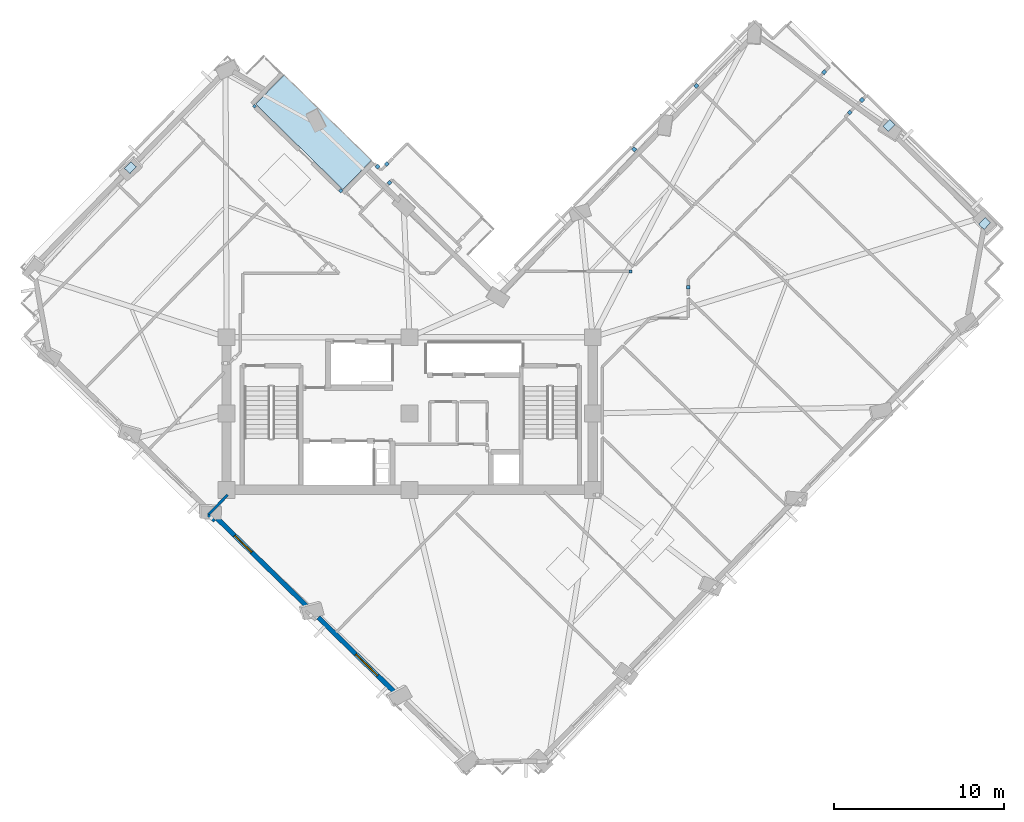
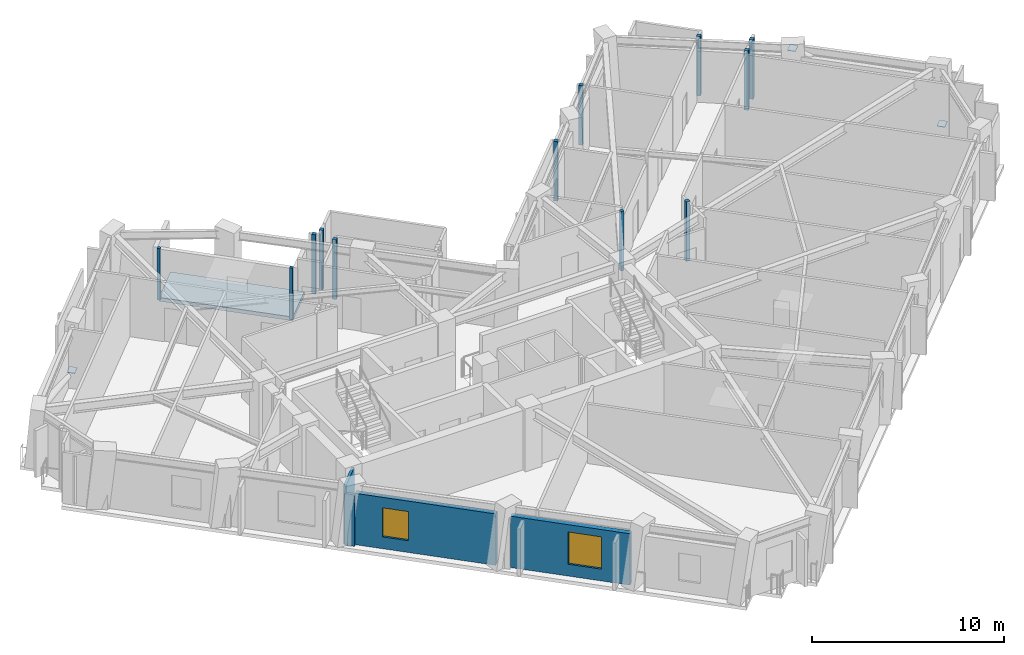
# One storey, part 3 of 12: 15 plates, 4 walls, 2 windows, 1 slab, 2 openings.
"""IFC4 building model written with IfcOpenShell, lengths in metres."""

from ifc_helpers import new_model, si_unit, direction, frame, frame_2d, origin, origin_2d, place, context, subcontext, project, spatial, polyline, rectangle, outline, extrude, material, layer, layer_set, type_object, element, fill, save


model = new_model("IFC4")

# Units and contexts
model_context = context("Model", 3, precision=1e-05, world=origin(), true_north=direction((0.0, 1.0)))
body_context = subcontext(model_context, "Body", "Model", "MODEL_VIEW")
ifc_project = project(units=[si_unit("LENGTHUNIT", "METRE"), si_unit("AREAUNIT", "SQUARE_METRE"), si_unit("VOLUMEUNIT", "CUBIC_METRE"), si_unit("PLANEANGLEUNIT", "RADIAN"), si_unit("MASSUNIT", "GRAM", prefix="KILO")], contexts=[model_context])

# Site, building, storey
site_placement = place(None, origin())
site = spatial("IfcSite", under=ifc_project, at=site_placement, CompositionType="ELEMENT")
building_placement = place(site_placement, origin())
building = spatial("IfcBuilding", under=site, at=building_placement, Name="Gaonmaruhae Medical Tower", CompositionType="ELEMENT")
storey_placement = place(building_placement, frame((0.0, 0.0, 219.199951171875)))
storey = spatial("IfcBuildingStorey", under=building, at=storey_placement, Name="L52", CompositionType="ELEMENT", Elevation=219.199951171875)

# Plates
ifc_material_1 = material(Name="Steel HSA650 (650 MPa)", Category="steel")
ifc_layer_1 = layer(ifc_material_1, 0.028076171875)
ifc_layer_set_1 = layer_set([ifc_layer_1], Name="Steel HSA650 (650 MPa)")
plate_type_1 = type_object("IfcPlateType", Name="GP-02 Tube Brace End Cap Gusset Plate", PredefinedType="USERDEFINED", material=ifc_layer_set_1)
for number, where, z_axis, x_axis, name in (
    (1, (58.71728515625, 23.50732421875, 0.23583984375), (0.0, 0.0, 1.0), (0.699663340513, 0.714472679633, 0.0), "L52 Gusset Cap Plate PLT-L52-PBR-E01A"),
    (2, (53.072509765625, 29.2880859375, 3.51611328125), (0.0, 0.0, 1.0), (0.687721305114, 0.725974797422, 0.0), "L52 Gusset Cap Plate PLT-L52-PBR-E01B"),
    (3, (8.333984375, 26.79833984375, 0.23583984375), (0.0, 0.0, 1.0), (0.699663340513, 0.714472679633, 0.0), "L52 Gusset Cap Plate PLT-L52-PBR-N02A"),
):
    element("IfcPlate", number, at=place(storey_placement, frame(where, z_axis=z_axis, x_axis=x_axis)), inside=storey, type_object=plate_type_1, Name=name, ObjectType="GUSSET_PLATE", PredefinedType="USERDEFINED", context=body_context, shape_type="SweptSolid", body=[
        extrude(rectangle(XDim=0.56005859375, YDim=0.43994140625, at=origin_2d()), origin(), (0.0, 0.0, 1.0), 0.028076171875),
    ])
ifc_material_2 = material(Name="Anodised aluminium 6063-T6", Category="aluminium")
ifc_layer_2 = layer(ifc_material_2, 0.011962890625)
ifc_layer_set_2 = layer_set([ifc_layer_2], Name="Anodised aluminium 6063-T6")
plate_type_2 = type_object("IfcPlateType", Name="PP-01 Interior Partition Corner Stiffener Plate", PredefinedType="SHEET", material=ifc_layer_set_2)
for number, where, z_axis, x_axis, name in (
    (4, (15.650390625, 30.4248046875, 0.0), (0.0, 0.0, 1.0), (0.714472679633, -0.699663340513, 0.0), "L52 Partition End Jamb Post Plate PLT-L52-ENDP-TERB-0"),
    (5, (20.7373046875, 25.443115234375, 0.0), (0.0, 0.0, 1.0), (0.714472679633, -0.699663340513, 0.0), "L52 Partition End Jamb Post Plate PLT-L52-ENDP-TERB-1"),
):
    element("IfcPlate", number, at=place(storey_placement, frame(where, z_axis=z_axis, x_axis=x_axis)), inside=storey, type_object=plate_type_2, Name=name, PredefinedType="SHEET", context=body_context, shape_type="SweptSolid", body=[
        extrude(rectangle(XDim=0.179931640625, YDim=0.179931640625, at=origin_2d()), origin(), (0.0, 0.0, 1.0), 3.264892578125),
    ])
plate_placement = place(storey_placement, frame((37.819091796875, 20.679931640625, 0.0), z_axis=(0.0, 0.0, 1.0), x_axis=(-1.0, 0.0, 0.0)))
element("IfcPlate", 6, at=plate_placement, inside=storey, type_object=plate_type_2, Name="L52 Partition End Jamb Post Plate PLT-L52-ENDP-PW059-0", PredefinedType="SHEET", context=body_context, shape_type="SweptSolid", body=[
    extrude(rectangle(XDim=0.179931640625, YDim=0.179931640625, at=origin_2d()), origin(), (0.0, 0.0, 1.0), 3.780029296875),
])
for number, where, z_axis, x_axis, name in (
    (7, (41.22998046875, 19.7509765625, 0.0), (0.0, 0.0, 1.0), (0.0, 1.0, 0.0), "L52 Partition Corner Stiffener Plate PLT-L52-JGP-PW026"),
    (8, (38.04345703125, 27.883544921875, 0.0), (0.0, 0.0, 1.0), (0.713959607704, -0.700186888314, 0.0), "L52 Partition Corner Stiffener Plate PLT-L52-JGP-PW063"),
    (9, (41.70947265625, 31.626953125, 0.0), (0.0, 0.0, 1.0), (0.715107379601, -0.699014617616, 0.0), "L52 Partition Corner Stiffener Plate PLT-L52-JGP-PW067"),
    (10, (49.24755859375, 32.431884765625, 0.0), (0.0, 0.0, 1.0), (-0.699675810307, -0.714460468095, 0.0), "L52 Partition Corner Stiffener Plate PLT-L52-JGP-PW071"),
    (11, (23.612060546875, 25.91357421875, 0.0), (0.0, 0.0, 1.0), (0.699862831641, 0.714277268914, 0.0), "L52 Partition Corner Stiffener Plate PLT-L52-JGP-PW081"),
    (12, (22.9169921875, 26.864013671875, 0.0), (0.0, 0.0, 1.0), (0.714289483716, -0.699850365044, 0.0), "L52 Partition Corner Stiffener Plate PLT-L52-JGP-PW093"),
    (13, (23.4541015625, 27.0166015625, 0.0), (0.0, 0.0, 1.0), (0.699326575522, 0.714802308872, 0.0), "L52 Partition Corner Stiffener Plate PLT-L52-JGP-PW094"),
    (14, (50.756103515625, 30.055908203125, 0.0), (0.0, 0.0, 1.0), (0.699438847778, 0.714692450092, 0.0), "L52 Partition Corner Stiffener Plate PLT-L52-JGP-PW102"),
    (15, (51.47900390625, 30.79443359375, 0.0), (0.0, 0.0, 1.0), (0.699089499653, 0.71503417504, 0.0), "L52 Partition Corner Stiffener Plate PLT-L52-JGP-PW103"),
):
    element("IfcPlate", number, at=place(storey_placement, frame(where, z_axis=z_axis, x_axis=x_axis)), inside=storey, type_object=plate_type_2, Name=name, PredefinedType="SHEET", context=body_context, shape_type="SweptSolid", body=[
        extrude(rectangle(XDim=0.219970703125, YDim=0.219970703125, at=origin_2d()), origin(), (0.0, 0.0, 1.0), 3.780029296875),
    ])

# Slab
ifc_material_3 = material(Name="Concrete C40/50", Category="concrete")
ifc_layer_3 = layer(ifc_material_3, 0.239990234375)
ifc_layer_set_3 = layer_set([ifc_layer_3], Name="Concrete C40/50")
slab_type = type_object("IfcSlabType", Name="TS-240 Sky Garden & Recovery Terrace Slab", PredefinedType="FLOOR", material=ifc_layer_set_3)
slab_placement = place(storey_placement, frame((0.0, 0.0, -0.239990234375)))
element("IfcSlab", 16, at=slab_placement, inside=storey, type_object=slab_type, Name="L52 Outdoor Recovery Terrace Slab", PredefinedType="FLOOR", context=body_context, shape_type="SweptSolid", body=[
    extrude(outline(polyline([(20.86376953125, 25.51513671875), (22.54296875, 27.22998046875), (17.39892578125, 32.267578125), (15.7197265625, 30.552734375), (20.86376953125, 25.51513671875)])), origin(), (0.0, 0.0, 1.0), 0.239990234375),
])

# Wall, opening, window
ifc_material_4 = material(Name="Precast concrete C45/55", Category="concrete")
ifc_layer_4 = layer(ifc_material_4, 0.280029296875)
ifc_layer_set_4 = layer_set([ifc_layer_4], Name="Precast concrete C45/55")
wall_type_1 = type_object("IfcWallType", Name="EW-280 Upper Precast Masonry-Frame Facade Wall", PredefinedType="SOLIDWALL", material=ifc_layer_set_4)
wall_1_placement = place(storey_placement, frame((18.847900390625, 0.826416015625, 0.0), z_axis=(0.0, 0.0, 1.0), x_axis=(-0.714480823881, 0.699655023784, 0.0)))
wall_1 = element("IfcWall", 17, at=wall_1_placement, inside=storey, type_object=wall_type_1, Name="L52 Precast Masonry-Frame Wall W03-W04", PredefinedType="SOLIDWALL", context=body_context, shape_type="SweptSolid", body=[
    extrude(rectangle(XDim=7.55859375, YDim=0.280029296875, at=frame_2d((3.779296875, 0.0))), origin(), (0.0, 0.0, 1.0), 3.26513671875),
])
opening_1_placement = place(wall_1_placement, frame((4.705810546875, 0.0, 0.75)))
opening_1 = element("IfcOpeningElement", 18, at=opening_1_placement, cuts=wall_1, Name="Opening WN-03", PredefinedType="OPENING", context=body_context, shape_type="SweptSolid", body=[
    extrude(rectangle(XDim=1.39990234375, YDim=1.85009765625, at=frame_2d((0.699951171875, 0.925048828125))), frame((0.0, 0.14990234375, 0.0), z_axis=(0.0, -1.0, 0.0), x_axis=(1.0, 0.0, 0.0)), (0.0, 0.0, 1.0), 0.300048828125),
])
ifc_material_5 = material(Name="Anodised aluminium and Low-E double glazing", Category="aluminium")
window_type_1 = type_object("IfcWindowType", Name="WN-03 Isolation Ward Punched Window 1400x1850", PartitioningType="SINGLE_PANEL", PredefinedType="WINDOW", material=ifc_material_5)
window_1_placement = place(opening_1_placement, origin())
window_1 = element("IfcWindow", 19, at=window_1_placement, inside=storey, type_object=window_type_1, Name="L52 Modular Facade Window W03", OverallHeight=1.85009765625, OverallWidth=1.39990234375, PartitioningType="SINGLE_PANEL", PredefinedType="WINDOW", context=body_context, shape_type="SweptSolid", body=[
    extrude(rectangle(XDim=1.39990234375, YDim=1.85009765625, at=frame_2d((0.699951171875, 0.925048828125))), frame((0.0, 0.030029296875, 0.0), z_axis=(0.0, -1.0, 0.0), x_axis=(1.0, 0.0, 0.0)), (0.0, 0.0, 1.0), 0.06005859375),
])
fill(opening_1, window_1)

wall_2_placement = place(storey_placement, frame((24.0009765625, -4.219970703125, 0.0), z_axis=(0.0, 0.0, 1.0), x_axis=(-0.714477580494, 0.699658335884, 0.0)))
wall_2 = element("IfcWall", 20, at=wall_2_placement, inside=storey, type_object=wall_type_1, Name="L52 Precast Masonry-Frame Wall W04-W05", PredefinedType="SOLIDWALL", context=body_context, shape_type="SweptSolid", body=[
    extrude(rectangle(XDim=6.425048828125, YDim=0.280029296875, at=frame_2d((3.21240234375, 0.0))), origin(), (0.0, 0.0, 1.0), 3.26513671875),
])
opening_2_placement = place(wall_2_placement, frame((1.527587890625, 0.0, 0.75)))
opening_2 = element("IfcOpeningElement", 21, at=opening_2_placement, cuts=wall_2, Name="Opening WN-04", PredefinedType="OPENING", context=body_context, shape_type="SweptSolid", body=[
    extrude(rectangle(XDim=1.800048828125, YDim=2.050048828125, at=frame_2d((0.89990234375, 1.02490234375))), frame((0.0, 0.14990234375, 0.0), z_axis=(0.0, -1.0, 0.0), x_axis=(1.0, 0.0, 0.0)), (0.0, 0.0, 1.0), 0.300048828125),
])
window_type_2 = type_object("IfcWindowType", Name="WN-04 Clinic & Consult Punched Window 1800x2050", PartitioningType="SINGLE_PANEL", PredefinedType="WINDOW", material=ifc_material_5)
window_2_placement = place(opening_2_placement, origin())
window_2 = element("IfcWindow", 22, at=window_2_placement, inside=storey, type_object=window_type_2, Name="L52 Modular Facade Window W04", OverallHeight=2.050048828125, OverallWidth=1.800048828125, PartitioningType="SINGLE_PANEL", PredefinedType="WINDOW", context=body_context, shape_type="SweptSolid", body=[
    extrude(rectangle(XDim=1.800048828125, YDim=2.050048828125, at=frame_2d((0.89990234375, 1.02490234375))), frame((0.0, 0.030029296875, 0.0), z_axis=(0.0, -1.0, 0.0), x_axis=(1.0, 0.0, 0.0)), (0.0, 0.0, 1.0), 0.06005859375),
])
fill(opening_2, window_2)

# Walls
ifc_material_6 = material(Name="Gypsum board partition", Category="gypsum")
ifc_layer_5 = layer(ifc_material_6, 0.14990234375)
ifc_layer_set_5 = layer_set([ifc_layer_5], Name="Gypsum board partition")
wall_type_2 = type_object("IfcWallType", Name="PW-150 Rated Clinical Corridor Partition", PredefinedType="PARTITIONING", material=ifc_layer_set_5)
wall_3_placement = place(storey_placement, frame((13.287109375, 5.950927734375, 0.0), z_axis=(0.0, 0.0, 1.0), x_axis=(-0.714510426493, 0.699624792608, 0.0)))
element("IfcWall", 23, at=wall_3_placement, inside=storey, type_object=wall_type_2, Name="L52 Interior Partition L52-WOF11-39", PredefinedType="PARTITIONING", context=body_context, shape_type="SweptSolid", body=[
    extrude(rectangle(XDim=0.52490234375, YDim=0.14990234375, at=frame_2d((0.262451171875, 0.0))), origin(), (0.0, 0.0, 1.0), 3.26513671875),
])
wall_4_placement = place(storey_placement, frame((12.912109375, 6.318115234375, 0.0), z_axis=(0.0, 0.0, 1.0), x_axis=(0.699538437275, 0.714594972536, 0.0)))
element("IfcWall", 24, at=wall_4_placement, inside=storey, type_object=wall_type_2, Name="L52 Interior Partition L52-WOF11-40", PredefinedType="PARTITIONING", context=body_context, shape_type="SweptSolid", body=[
    extrude(rectangle(XDim=1.65380859375, YDim=0.14990234375, at=frame_2d((0.826904296875, 0.0))), origin(), (0.0, 0.0, 1.0), 3.780029296875),
])

save(model, "model.ifc")
